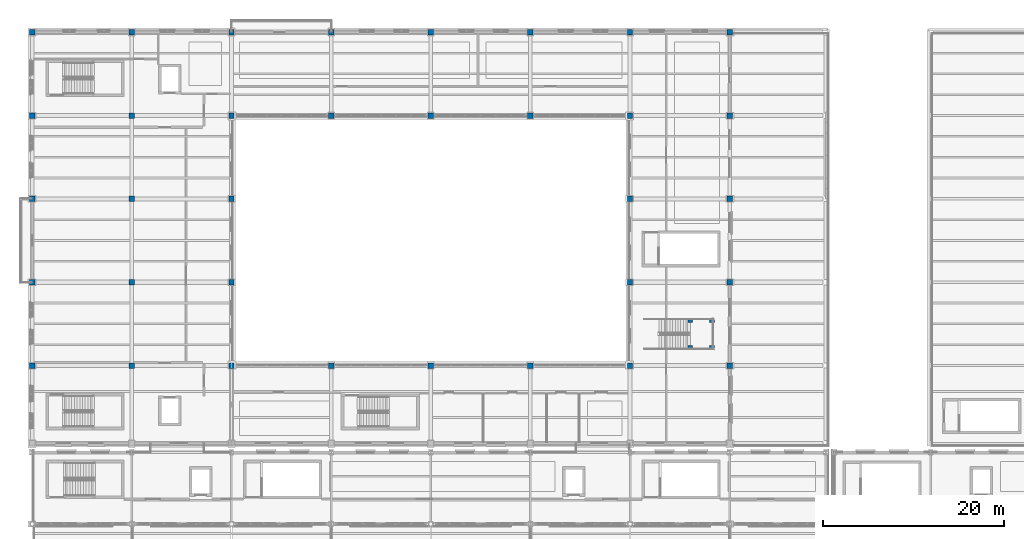
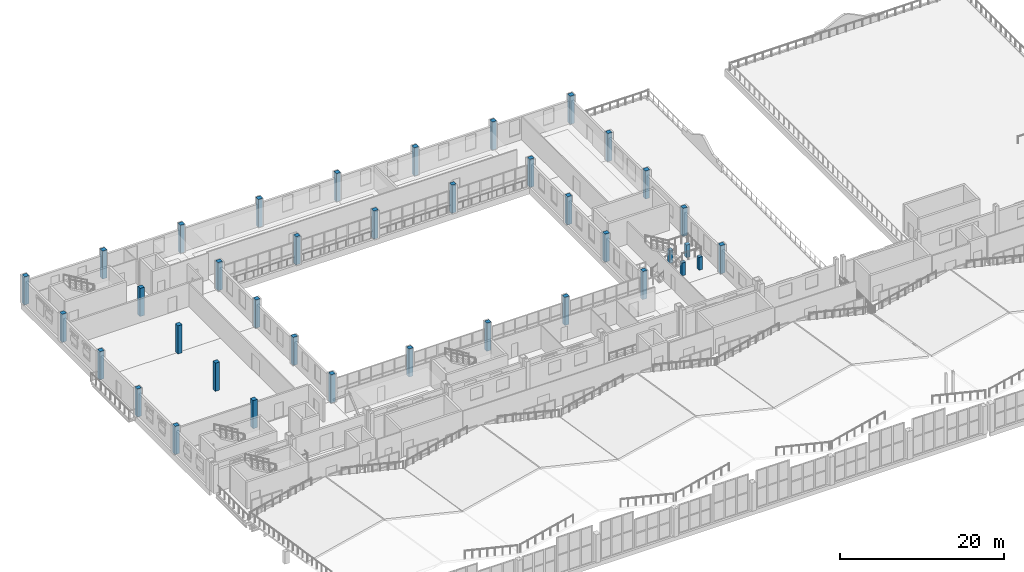
# One storey, part 8 of 120: 38 columns.
"""IFC4 building model written with IfcOpenShell, lengths in metres."""

import ifcopenshell
import ifcopenshell.guid

model = None  # the IFC model being written
_history = None  # IfcOwnerHistory: only IFC2X3 demands one
_inside = {}  # id of a spatial element -> (the spatial element, [elements in it])
_under = {}  # id of a project, library or spatial element -> (it, [spatial elements below it])
_declared = {}  # id of a project -> (the project, [libraries it declares])
_typed = {}  # id of a type object -> (the type object, [elements of that type])
_made_of = {}  # id of a material, layer set ... -> (it, [elements and type objects made of it])


def new_model(schema):
    """Start an empty IFC model of exactly this schema.

    Asked for "IFC4X3", IfcOpenShell would pick the latest addendum, in which some entities
    have other attributes; the version numbers below select the first issue.
    IFC2X3 requires an IfcOwnerHistory on every rooted entity: one is made here for all.
    """
    global model, _history
    if schema == "IFC4X3":
        model = ifcopenshell.file(schema_version=(4, 3, 0, 0))
    else:
        model = ifcopenshell.file(schema=schema)
    _inside.clear()
    _under.clear()
    _declared.clear()
    _typed.clear()
    _made_of.clear()
    _history = None
    if model.schema == "IFC2X3":
        org = make("IfcOrganization", Name="unknown")
        user = make(
            "IfcPersonAndOrganization",
            ThePerson=make("IfcPerson", FamilyName="unknown"),
            TheOrganization=org,
        )
        app = make(
            "IfcApplication",
            ApplicationDeveloper=org,
            Version="unknown",
            ApplicationFullName="unknown",
            ApplicationIdentifier="unknown",
        )
        _history = make(
            "IfcOwnerHistory",
            OwningUser=user,
            OwningApplication=app,
            ChangeAction="ADDED",
            CreationDate=0,
        )
    return model


def make(cls, **values):
    """One entity of the class cls with the attributes given. An attribute that is None is left unset."""
    return model.create_entity(
        cls, **{name: value for name, value in values.items() if value is not None}
    )


def rooted(cls, **values):
    """An entity with a GlobalId (a new one), such as an element, a storey or a relation."""
    return make(cls, GlobalId=ifcopenshell.guid.new(), OwnerHistory=_history, **values)


def si_unit(unit_type, name, prefix=None):
    """IfcSIUnit, for example si_unit("LENGTHUNIT", "METRE", prefix="MILLI")."""
    return make("IfcSIUnit", UnitType=unit_type, Prefix=prefix, Name=name)


def assignment(units):
    """IfcUnitAssignment: the units of a project."""
    return None if units is None else make("IfcUnitAssignment", Units=units)


def point(xyz):
    """IfcCartesianPoint."""
    return None if xyz is None else make("IfcCartesianPoint", Coordinates=xyz)


def direction(xyz):
    """IfcDirection."""
    return None if xyz is None else make("IfcDirection", DirectionRatios=xyz)


def frame(location, z_axis=None, x_axis=None):
    """IfcAxis2Placement3D, a coordinate frame: its origin and axes. An axis left out is left unset."""
    return make(
        "IfcAxis2Placement3D",
        Location=point(location),
        Axis=direction(z_axis),
        RefDirection=direction(x_axis),
    )


def frame_2d(location, x_axis=None):
    """IfcAxis2Placement2D, a coordinate frame in the plane: its origin and x axis."""
    return make(
        "IfcAxis2Placement2D", Location=point(location), RefDirection=direction(x_axis)
    )


def origin():
    """The frame at (0, 0, 0) with its axes left unset."""
    return frame((0.0, 0.0, 0.0))


def origin_2d():
    """The frame at (0, 0) in the plane with its x axis left unset."""
    return frame_2d((0.0, 0.0))


def place(relative_to, where):
    """IfcLocalPlacement: puts the frame where relative to a parent placement (None: the world)."""
    return make(
        "IfcLocalPlacement", PlacementRelTo=relative_to, RelativePlacement=where
    )


def context(
    kind, dimensions, precision=None, world=None, true_north=None, identifier=None
):
    """IfcGeometricRepresentationContext, for example the 3D "Model" context."""
    return make(
        "IfcGeometricRepresentationContext",
        ContextIdentifier=identifier,
        ContextType=kind,
        CoordinateSpaceDimension=dimensions,
        Precision=precision,
        WorldCoordinateSystem=world,
        TrueNorth=true_north,
    )


def subcontext(parent, identifier, kind, view, scale=None):
    """IfcGeometricRepresentationSubContext, for example "Body" below "Model"."""
    return make(
        "IfcGeometricRepresentationSubContext",
        ContextIdentifier=identifier,
        ContextType=kind,
        ParentContext=parent,
        TargetScale=scale,
        TargetView=view,
    )


def project(units=None, contexts=None):
    """IfcProject with its units and contexts."""
    return rooted(
        "IfcProject",
        Name="project",
        RepresentationContexts=contexts,
        UnitsInContext=assignment(units),
    )


def spatial(cls, under=None, at=None, **own):
    """A site, building, storey or space (cls), placed at a placement, below another one or the project."""
    s = rooted(cls, ObjectPlacement=at, **own)
    if under is not None:
        _under.setdefault(under.id(), (under, []))[1].append(s)
    return s


def profile(cls, at=None, kind="AREA", **sizes):
    """A parametric profile (cls). Its sizes go by their IFC names, for example OverallWidth=200.0."""
    return make(cls, ProfileType=kind, Position=at, **sizes)


def rectangle(**sizes):
    """IfcRectangleProfileDef."""
    return profile("IfcRectangleProfileDef", **sizes)


def extrude(swept, where, along, depth):
    """IfcExtrudedAreaSolid: the profile swept, set in the frame where, extruded along a direction by depth."""
    return make(
        "IfcExtrudedAreaSolid",
        SweptArea=swept,
        Position=where,
        ExtrudedDirection=direction(along),
        Depth=depth,
    )


def shape(context_of_items, identifier, shape_type, items):
    """IfcShapeRepresentation: the items that make up one representation, for example the "Body"."""
    return make(
        "IfcShapeRepresentation",
        ContextOfItems=context_of_items,
        RepresentationIdentifier=identifier,
        RepresentationType=shape_type,
        Items=items,
    )


def material(Name=None, Category=None):
    """IfcMaterial."""
    return make("IfcMaterial", Name=Name, Category=Category)


def material_profile(
    of_material, cross_section, Name=None, Category=None, Priority=None
):
    """IfcMaterialProfile: a cross section and its material."""
    return make(
        "IfcMaterialProfile",
        Name=Name,
        Material=of_material,
        Profile=cross_section,
        Priority=Priority,
        Category=Category,
    )


def profile_set(profiles, Name=None, composite=None):
    """IfcMaterialProfileSet."""
    return make(
        "IfcMaterialProfileSet",
        Name=Name,
        MaterialProfiles=profiles,
        CompositeProfile=composite,
    )


def made_of(thing, what):
    """Note that an element or type object is made of a material, layer set ...; save() writes the relation."""
    if what is not None:
        _made_of.setdefault(what.id(), (what, []))[1].append(thing)
    return thing


def type_object(cls, material=None, **own):
    """A type object (cls), such as IfcWallType, which elements share."""
    return made_of(rooted(cls, **own), material)


def element(
    cls,
    number,
    at=None,
    inside=None,
    cuts=None,
    type_object=None,
    material=None,
    context=None,
    identifier="Body",
    shape_type=None,
    held_by="IfcProductDefinitionShape",
    body=None,
    shapes=None,
    **own,
):
    """One element of the class cls, such as IfcWall. Its Tag is "e" and its number.

    at: its placement. inside: the storey or other place that contains it. cuts: it is an
    opening in that element (IfcRelVoidsElement). A single representation is given by context,
    identifier, shape_type and body (its items); several are given by shapes. held_by: the class
    of the entity that holds the representations. save() writes the other relations.
    """
    e = rooted(cls, Tag="e%d" % number, ObjectPlacement=at, **own)
    if body is not None:
        shapes = [shape(context, identifier, shape_type, body)]
    if shapes is not None:
        e.Representation = make(held_by, Representations=shapes)
    if inside is not None:
        _inside.setdefault(inside.id(), (inside, []))[1].append(e)
    if cuts is not None:
        rooted(
            "IfcRelVoidsElement", RelatingBuildingElement=cuts, RelatedOpeningElement=e
        )
    if type_object is not None:
        _typed.setdefault(type_object.id(), (type_object, []))[1].append(e)
    return made_of(e, material)


def aggregate(whole, parts):
    """IfcRelAggregates: a whole, such as a stair, and the parts it consists of."""
    return rooted("IfcRelAggregates", RelatingObject=whole, RelatedObjects=parts)


def save(model, path):
    """Write the relations noted so far, then the file.

    IfcRelAggregates (storeys below a building ...), IfcRelContainedInSpatialStructure (elements
    in a storey), IfcRelDefinesByType, IfcRelAssociatesMaterial and IfcRelDeclares: one each for
    every whole, place, type object, material and project.
    """
    for whole, parts in _under.values():
        aggregate(whole, parts)
    for where, things in _inside.values():
        rooted(
            "IfcRelContainedInSpatialStructure",
            RelatedElements=things,
            RelatingStructure=where,
        )
    for kind, things in _typed.values():
        rooted("IfcRelDefinesByType", RelatedObjects=things, RelatingType=kind)
    for what, things in _made_of.values():
        rooted("IfcRelAssociatesMaterial", RelatedObjects=things, RelatingMaterial=what)
    for by, libraries in _declared.values():
        rooted("IfcRelDeclares", RelatingContext=by, RelatedDefinitions=libraries)
    model.write(path)


model = new_model("IFC4")

# Units and contexts
model_context = context("Model", 3, precision=1e-05, world=origin(), true_north=direction((0.0, 1.0)))
body_context = subcontext(model_context, "Body", "Model", "MODEL_VIEW")
ifc_project = project(units=[si_unit("LENGTHUNIT", "METRE"), si_unit("AREAUNIT", "SQUARE_METRE"), si_unit("VOLUMEUNIT", "CUBIC_METRE"), si_unit("PLANEANGLEUNIT", "RADIAN"), si_unit("MASSUNIT", "GRAM", prefix="KILO")], contexts=[model_context])

# Site, building, storey
site_placement = place(None, origin())
site = spatial("IfcSite", under=ifc_project, at=site_placement, CompositionType="ELEMENT")
building_placement = place(site_placement, origin())
building = spatial("IfcBuilding", under=site, at=building_placement, Name="Caurita Quay Ferry Terminal", CompositionType="ELEMENT")
storey_placement = place(building_placement, frame((0.0, 0.0, 9.89990234375)))
storey = spatial("IfcBuildingStorey", under=building, at=storey_placement, Name="L02", CompositionType="ELEMENT", Elevation=9.89990234375)

# Columns
ifc_material = material(Name="Reinforced concrete C35/45", Category="concrete")
ifc_material_profile_1 = material_profile(ifc_material, rectangle(XDim=0.5, YDim=0.5, at=origin_2d()), Name="RC-COL-500X500")
ifc_profile_set_1 = profile_set([ifc_material_profile_1], Name="Reinforced concrete C35/45")
column_type_1 = type_object("IfcColumnType", Name="COL-RC-500", PredefinedType="COLUMN", material=ifc_profile_set_1)
for number, where, z_axis, x_axis, name in (
    (1, (72.64990234375, 82.14990234375, 0.0), (0.0, 0.0, 1.0), (1.0, 0.0, 0.0), "L02 Promenade Stair ST-14 Column SW"),
    (2, (72.64990234375, 85.2099609375, 0.0), (0.0, 0.0, 1.0), (1.0, 0.0, 0.0), "L02 Promenade Stair ST-14 Column NW"),
    (3, (75.050048828125, 82.14990234375, 0.0), (0.0, 0.0, 1.0), (1.0, 0.0, 0.0), "L02 Promenade Stair ST-14 Column SE"),
    (4, (75.050048828125, 85.2099609375, 0.0), (0.0, 0.0, 1.0), (1.0, 0.0, 0.0), "L02 Promenade Stair ST-14 Column NE"),
):
    element("IfcColumn", number, at=place(storey_placement, frame(where, z_axis=z_axis, x_axis=x_axis)), inside=storey, type_object=column_type_1, Name=name, PredefinedType="COLUMN", context=body_context, shape_type="SweptSolid", body=[
        extrude(rectangle(XDim=0.5, YDim=0.5, at=origin_2d()), origin(), (0.0, 0.0, 1.0), 1.900146484375),
    ])
ifc_material_profile_2 = material_profile(ifc_material, rectangle(XDim=0.60009765625, YDim=0.60009765625, at=origin_2d()), Name="RC-COL-600X600")
ifc_profile_set_2 = profile_set([ifc_material_profile_2], Name="Reinforced concrete C35/45")
column_type_2 = type_object("IfcColumnType", Name="COL-RC-600", PredefinedType="COLUMN", material=ifc_profile_set_2)
for number, where, z_axis, x_axis, name in (
    (5, (0.0, 80.199951171875, 0.0), (0.0, 0.0, 1.0), (1.0, 0.0, 0.0), "L02 Column V5-01-M"),
    (6, (0.0, 89.39990234375, 0.0), (0.0, 0.0, 1.0), (1.0, 0.0, 0.0), "L02 Column V5-01-N"),
    (7, (0.0, 98.60009765625, 0.0), (0.0, 0.0, 1.0), (1.0, 0.0, 0.0), "L02 Column V5-01-P"),
    (8, (0.0, 107.800048828125, 0.0), (0.0, 0.0, 1.0), (1.0, 0.0, 0.0), "L02 Column V5-01-Q"),
    (9, (0.0, 117.0, 0.0), (0.0, 0.0, 1.0), (1.0, 0.0, 0.0), "L02 Column V5-01-R"),
    (10, (11.0, 80.199951171875, 0.0), (0.0, 0.0, 1.0), (1.0, 0.0, 0.0), "L02 Column V5-02-M"),
    (11, (11.0, 89.39990234375, 0.0), (0.0, 0.0, 1.0), (1.0, 0.0, 0.0), "L02 Column V5-02-N"),
    (12, (11.0, 98.60009765625, 0.0), (0.0, 0.0, 1.0), (1.0, 0.0, 0.0), "L02 Column V5-02-P"),
    (13, (11.0, 107.800048828125, 0.0), (0.0, 0.0, 1.0), (1.0, 0.0, 0.0), "L02 Column V5-02-Q"),
    (14, (11.0, 117.0, 0.0), (0.0, 0.0, 1.0), (1.0, 0.0, 0.0), "L02 Column V5-02-R"),
    (15, (22.0, 80.199951171875, 0.0), (0.0, 0.0, 1.0), (1.0, 0.0, 0.0), "L02 Column V5-03-M"),
    (16, (22.0, 89.39990234375, 0.0), (0.0, 0.0, 1.0), (1.0, 0.0, 0.0), "L02 Column V5-03-N"),
    (17, (22.0, 98.60009765625, 0.0), (0.0, 0.0, 1.0), (1.0, 0.0, 0.0), "L02 Column V5-03-P"),
    (18, (22.0, 107.800048828125, 0.0), (0.0, 0.0, 1.0), (1.0, 0.0, 0.0), "L02 Column V5-03-Q"),
    (19, (22.0, 117.0, 0.0), (0.0, 0.0, 1.0), (1.0, 0.0, 0.0), "L02 Column V5-03-R"),
    (20, (33.0, 80.199951171875, 0.0), (0.0, 0.0, 1.0), (1.0, 0.0, 0.0), "L02 Column V5-04-M"),
    (21, (33.0, 107.800048828125, 0.0), (0.0, 0.0, 1.0), (1.0, 0.0, 0.0), "L02 Column V5-04-Q"),
    (22, (33.0, 117.0, 0.0), (0.0, 0.0, 1.0), (1.0, 0.0, 0.0), "L02 Column V5-04-R"),
    (23, (44.0, 80.199951171875, 0.0), (0.0, 0.0, 1.0), (1.0, 0.0, 0.0), "L02 Column V5-05-M"),
    (24, (44.0, 107.800048828125, 0.0), (0.0, 0.0, 1.0), (1.0, 0.0, 0.0), "L02 Column V5-05-Q"),
    (25, (44.0, 117.0, 0.0), (0.0, 0.0, 1.0), (1.0, 0.0, 0.0), "L02 Column V5-05-R"),
    (26, (55.0, 80.199951171875, 0.0), (0.0, 0.0, 1.0), (1.0, 0.0, 0.0), "L02 Column V5-06-M"),
    (27, (55.0, 107.800048828125, 0.0), (0.0, 0.0, 1.0), (1.0, 0.0, 0.0), "L02 Column V5-06-Q"),
    (28, (55.0, 117.0, 0.0), (0.0, 0.0, 1.0), (1.0, 0.0, 0.0), "L02 Column V5-06-R"),
    (29, (66.0, 80.199951171875, 0.0), (0.0, 0.0, 1.0), (1.0, 0.0, 0.0), "L02 Column V5-07-M"),
    (30, (66.0, 89.39990234375, 0.0), (0.0, 0.0, 1.0), (1.0, 0.0, 0.0), "L02 Column V5-07-N"),
    (31, (66.0, 98.60009765625, 0.0), (0.0, 0.0, 1.0), (1.0, 0.0, 0.0), "L02 Column V5-07-P"),
    (32, (66.0, 107.800048828125, 0.0), (0.0, 0.0, 1.0), (1.0, 0.0, 0.0), "L02 Column V5-07-Q"),
    (33, (66.0, 117.0, 0.0), (0.0, 0.0, 1.0), (1.0, 0.0, 0.0), "L02 Column V5-07-R"),
    (34, (77.0, 80.199951171875, 0.0), (0.0, 0.0, 1.0), (1.0, 0.0, 0.0), "L02 Column V5-08-M"),
    (35, (77.0, 89.39990234375, 0.0), (0.0, 0.0, 1.0), (1.0, 0.0, 0.0), "L02 Column V5-08-N"),
    (36, (77.0, 98.60009765625, 0.0), (0.0, 0.0, 1.0), (1.0, 0.0, 0.0), "L02 Column V5-08-P"),
    (37, (77.0, 107.800048828125, 0.0), (0.0, 0.0, 1.0), (1.0, 0.0, 0.0), "L02 Column V5-08-Q"),
    (38, (77.0, 117.0, 0.0), (0.0, 0.0, 1.0), (1.0, 0.0, 0.0), "L02 Column V5-08-R"),
):
    element("IfcColumn", number, at=place(storey_placement, frame(where, z_axis=z_axis, x_axis=x_axis)), inside=storey, type_object=column_type_2, Name=name, PredefinedType="COLUMN", context=body_context, shape_type="SweptSolid", body=[
        extrude(rectangle(XDim=0.60009765625, YDim=0.60009765625, at=origin_2d()), origin(), (0.0, 0.0, 1.0), 4.2001953125),
    ])

save(model, "model.ifc")
